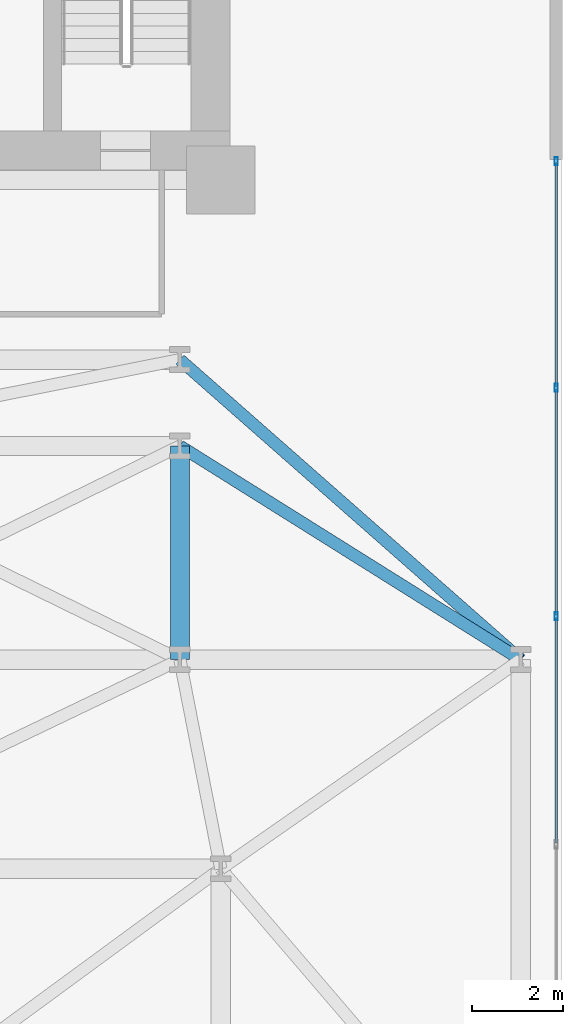
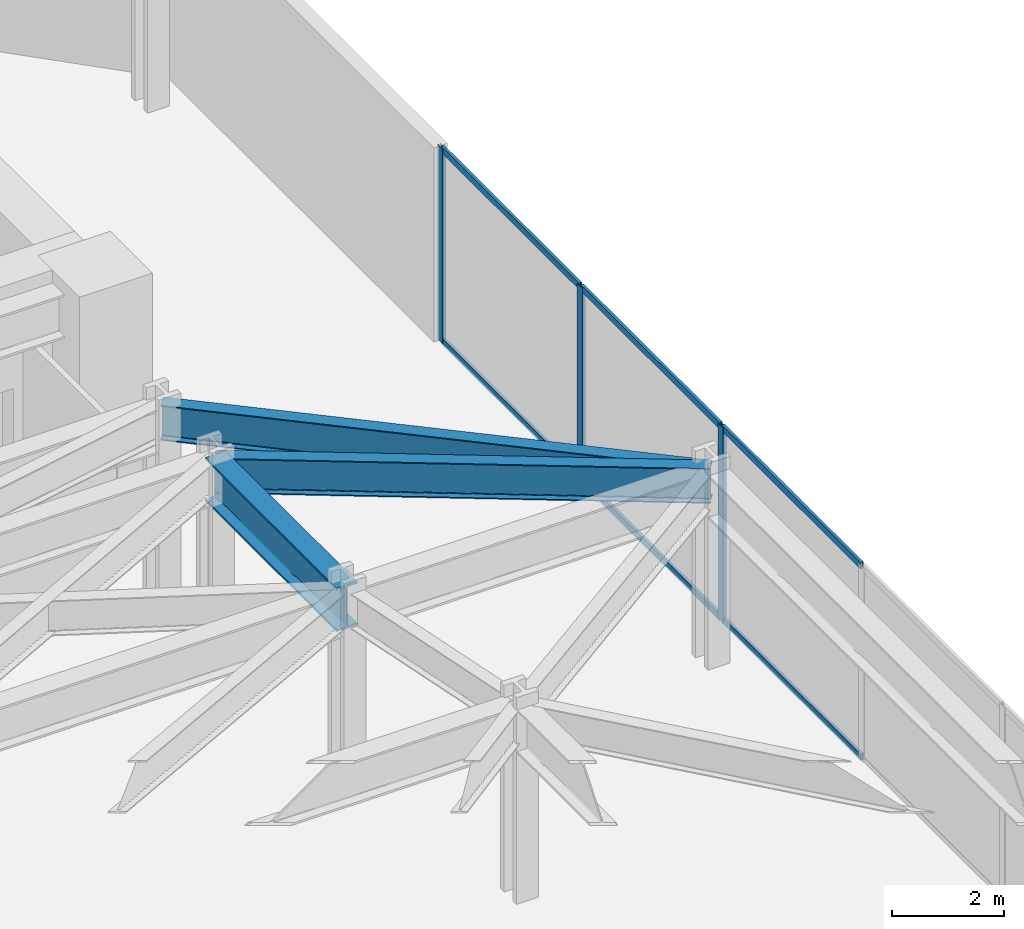
# One storey, part 23 of 28: 9 members, 3 beams, 1 element without a shape of its own.
"""IFC4 building model written with IfcOpenShell, lengths in metres."""

from ifc_helpers import new_model, si_unit, direction, frame, origin, origin_2d, place, context, subcontext, project, spatial, hollow_rectangle, i_section, extrude, material, layer, layer_set, material_profile, profile_set, type_object, element, aggregate, save


model = new_model("IFC4")

# Units and contexts
model_context = context("Model", 3, precision=1e-05, world=origin(), true_north=direction((0.0, 1.0)))
body_context = subcontext(model_context, "Body", "Model", "MODEL_VIEW")
ifc_project = project(units=[si_unit("LENGTHUNIT", "METRE"), si_unit("AREAUNIT", "SQUARE_METRE"), si_unit("VOLUMEUNIT", "CUBIC_METRE"), si_unit("PLANEANGLEUNIT", "RADIAN"), si_unit("MASSUNIT", "GRAM", prefix="KILO")], contexts=[model_context])

# Site, building, storey
site_placement = place(None, origin())
site = spatial("IfcSite", under=ifc_project, at=site_placement, CompositionType="ELEMENT")
building_placement = place(site_placement, origin())
building = spatial("IfcBuilding", under=site, at=building_placement, Name="Kravanh Interchange Tower", CompositionType="ELEMENT")
storey_placement = place(building_placement, frame((0.0, 0.0, 15.300048828125)))
storey = spatial("IfcBuildingStorey", under=building, at=storey_placement, Name="L03", CompositionType="ELEMENT", Elevation=15.300048828125)

# Curtain wall, members
ifc_material_1 = material(Name="Anodised Bronze Aluminium", Category="aluminium")
ifc_layer = layer(ifc_material_1, 0.179931640625)
ifc_layer_set = layer_set([ifc_layer], Name="Unitised Curtain Wall System CW-POD Podium Concourse")
curtain_wall_type = type_object("IfcCurtainWallType", Name="Unitised Curtain Wall System CW-POD Podium Concourse", PredefinedType="NOTDEFINED", material=ifc_layer_set)
curtain_wall_placement = place(storey_placement, origin())
curtain_wall = element("IfcCurtainWall", 1, at=curtain_wall_placement, inside=storey, type_object=curtain_wall_type, Name="L03 Unitised Curtain Wall CW-L03-02", PredefinedType="NOTDEFINED")
ifc_material_2 = material(Name="Anodised Bronze Aluminium", Category="aluminium")
ifc_material_profile_1 = material_profile(ifc_material_2, hollow_rectangle(XDim=0.070068359375, YDim=0.179931640625, WallThickness=0.00390625, at=origin_2d()), Name="ALU70X180X4")
ifc_profile_set_1 = profile_set([ifc_material_profile_1], Name="Anodised Bronze Aluminium")
member_type_1 = type_object("IfcMemberType", Name="Curtain Wall Mullion ALU70X180X4 Bronze", PredefinedType="MULLION", material=ifc_profile_set_1)
member_1_placement = place(storey_placement, frame((73.8798828125, 37.764892578125, 0.0), z_axis=(0.0, 0.0, 1.0), x_axis=(1.0, 0.0, 0.0)))
member_1 = element("IfcMember", 2, at=member_1_placement, type_object=member_type_1, Name="CW-POD mullion 1", PredefinedType="MULLION", context=body_context, shape_type="SweptSolid", body=[
    extrude(hollow_rectangle(XDim=0.070068359375, YDim=0.179931640625, WallThickness=0.00390625, at=origin_2d()), origin(), (0.0, 0.0, 1.0), 4.22998046875),
])
member_2_placement = place(storey_placement, frame((73.8798828125, 32.778564453125, 0.0), z_axis=(0.0, 0.0, 1.0), x_axis=(1.0, 0.0, 0.0)))
member_2 = element("IfcMember", 3, at=member_2_placement, type_object=member_type_1, Name="CW-POD mullion 2", PredefinedType="MULLION", context=body_context, shape_type="SweptSolid", body=[
    extrude(hollow_rectangle(XDim=0.070068359375, YDim=0.179931640625, WallThickness=0.00390625, at=origin_2d()), origin(), (0.0, 0.0, 1.0), 4.22998046875),
])
member_3_placement = place(storey_placement, frame((73.8798828125, 27.757080078125, 0.0), z_axis=(0.0, 0.0, 1.0), x_axis=(1.0, 0.0, 0.0)))
member_3 = element("IfcMember", 4, at=member_3_placement, type_object=member_type_1, Name="CW-POD mullion 3", PredefinedType="MULLION", context=body_context, shape_type="SweptSolid", body=[
    extrude(hollow_rectangle(XDim=0.070068359375, YDim=0.179931640625, WallThickness=0.00390625, at=origin_2d()), origin(), (0.0, 0.0, 1.0), 4.22998046875),
])
ifc_material_3 = material(Name="Anodised Bronze Aluminium", Category="aluminium")
ifc_material_profile_2 = material_profile(ifc_material_3, hollow_rectangle(XDim=0.06005859375, YDim=0.139892578125, WallThickness=0.00390625, at=origin_2d()), Name="ALU60X140X4")
ifc_profile_set_2 = profile_set([ifc_material_profile_2], Name="Anodised Bronze Aluminium")
member_type_2 = type_object("IfcMemberType", Name="Curtain Wall Transom ALU60X140X4 Bronze", PredefinedType="USERDEFINED", material=ifc_profile_set_2)
member_4_placement = place(storey_placement, frame((73.8798828125, 37.72998046875, 0.030029296875), z_axis=(0.0, -1.0, 0.0), x_axis=(1.0, 0.0, 0.0)))
member_4 = element("IfcMember", 5, at=member_4_placement, type_object=member_type_2, Name="CW-POD transom 1.1", ObjectType="TRANSOM", PredefinedType="USERDEFINED", context=body_context, shape_type="SweptSolid", body=[
    extrude(hollow_rectangle(XDim=0.06005859375, YDim=0.139892578125, WallThickness=0.00390625, at=origin_2d()), origin(), (0.0, 0.0, 1.0), 4.91650390625),
])
member_5_placement = place(storey_placement, frame((73.8798828125, 37.72998046875, 4.199951171875), z_axis=(0.0, -1.0, 0.0), x_axis=(1.0, 0.0, 0.0)))
member_5 = element("IfcMember", 6, at=member_5_placement, type_object=member_type_2, Name="CW-POD transom 1.2", ObjectType="TRANSOM", PredefinedType="USERDEFINED", context=body_context, shape_type="SweptSolid", body=[
    extrude(hollow_rectangle(XDim=0.06005859375, YDim=0.139892578125, WallThickness=0.00390625, at=origin_2d()), origin(), (0.0, 0.0, 1.0), 4.91650390625),
])
member_6_placement = place(storey_placement, frame((73.8798828125, 32.743408203125, 0.030029296875), z_axis=(0.0, -1.0, 0.0), x_axis=(1.0, 0.0, 0.0)))
member_6 = element("IfcMember", 7, at=member_6_placement, type_object=member_type_2, Name="CW-POD transom 2.1", ObjectType="TRANSOM", PredefinedType="USERDEFINED", context=body_context, shape_type="SweptSolid", body=[
    extrude(hollow_rectangle(XDim=0.06005859375, YDim=0.139892578125, WallThickness=0.00390625, at=origin_2d()), origin(), (0.0, 0.0, 1.0), 4.951416015625),
])
member_7_placement = place(storey_placement, frame((73.8798828125, 32.743408203125, 4.199951171875), z_axis=(0.0, -1.0, 0.0), x_axis=(1.0, 0.0, 0.0)))
member_7 = element("IfcMember", 8, at=member_7_placement, type_object=member_type_2, Name="CW-POD transom 2.2", ObjectType="TRANSOM", PredefinedType="USERDEFINED", context=body_context, shape_type="SweptSolid", body=[
    extrude(hollow_rectangle(XDim=0.06005859375, YDim=0.139892578125, WallThickness=0.00390625, at=origin_2d()), origin(), (0.0, 0.0, 1.0), 4.951416015625),
])
member_8_placement = place(storey_placement, frame((73.8798828125, 27.72216796875, 0.030029296875), z_axis=(0.0, -1.0, 0.0), x_axis=(1.0, 0.0, 0.0)))
member_8 = element("IfcMember", 9, at=member_8_placement, type_object=member_type_2, Name="CW-POD transom 3.1", ObjectType="TRANSOM", PredefinedType="USERDEFINED", context=body_context, shape_type="SweptSolid", body=[
    extrude(hollow_rectangle(XDim=0.06005859375, YDim=0.139892578125, WallThickness=0.00390625, at=origin_2d()), origin(), (0.0, 0.0, 1.0), 4.95166015625),
])
member_9_placement = place(storey_placement, frame((73.8798828125, 27.72216796875, 4.199951171875), z_axis=(0.0, -1.0, 0.0), x_axis=(1.0, 0.0, 0.0)))
member_9 = element("IfcMember", 10, at=member_9_placement, type_object=member_type_2, Name="CW-POD transom 3.2", ObjectType="TRANSOM", PredefinedType="USERDEFINED", context=body_context, shape_type="SweptSolid", body=[
    extrude(hollow_rectangle(XDim=0.06005859375, YDim=0.139892578125, WallThickness=0.00390625, at=origin_2d()), origin(), (0.0, 0.0, 1.0), 4.95166015625),
])
aggregate(curtain_wall, [member_1, member_2, member_3, member_4, member_5, member_6, member_7, member_8, member_9])

# Beams
ifc_material_4 = material(Name="Structural Steel S450", Category="steel")
ifc_material_profile_3 = material_profile(ifc_material_4, i_section(OverallWidth=0.423095703125, OverallDepth=0.947998046875, WebThickness=0.02392578125, FlangeThickness=0.042724609375, FilletRadius=0.028076171875, at=origin_2d()), Name="W36X302")
ifc_profile_set_3 = profile_set([ifc_material_profile_3], Name="Structural Steel S450")
beam_type_1 = type_object("IfcBeamType", Name="Floor Beam W36X302 Structural Steel S450", PredefinedType="BEAM", material=ifc_profile_set_3)
beam_1_placement = place(storey_placement, frame((65.60009765625, 26.800048828125, 3.755859375), z_axis=(0.0, 1.0, 0.0), x_axis=(-1.0, 0.0, 0.0)))
element("IfcBeam", 11, at=beam_1_placement, inside=storey, type_object=beam_type_1, Name="L03 Primary Floor Girder 101", PredefinedType="BEAM", context=body_context, shape_type="SweptSolid", body=[
    extrude(i_section(OverallWidth=0.423095703125, OverallDepth=0.947998046875, WebThickness=0.02392578125, FlangeThickness=0.042724609375, FilletRadius=0.028076171875, at=origin_2d()), origin(), (0.0, 0.0, 1.0), 4.699951171875),
])
ifc_material_5 = material(Name="Structural Steel S355", Category="steel")
ifc_material_profile_4 = material_profile(ifc_material_5, i_section(OverallWidth=0.26708984375, OverallDepth=0.761962890625, WebThickness=0.014404296875, FlangeThickness=0.021484375, FilletRadius=0.02490234375, at=origin_2d()), Name="W30X116")
ifc_profile_set_4 = profile_set([ifc_material_profile_4], Name="Structural Steel S355")
beam_type_2 = type_object("IfcBeamType", Name="Floor Spandrel W30X116 Structural Steel S355", PredefinedType="SPANDREL", material=ifc_profile_set_4)
beam_2_placement = place(storey_placement, frame((65.60009765625, 31.5, 3.848876953125), z_axis=(0.847365449363, -0.531010164899, 0.0), x_axis=(0.531010164899, 0.847365449363, 0.0)))
element("IfcBeam", 12, at=beam_2_placement, inside=storey, type_object=beam_type_2, Name="L03 Perimeter Spandrel 121", PredefinedType="SPANDREL", context=body_context, shape_type="SweptSolid", body=[
    extrude(i_section(OverallWidth=0.26708984375, OverallDepth=0.761962890625, WebThickness=0.014404296875, FlangeThickness=0.021484375, FilletRadius=0.02490234375, at=origin_2d()), origin(), (0.0, 0.0, 1.0), 8.85107421875),
])
beam_3_placement = place(storey_placement, frame((73.10009765625, 26.800048828125, 3.848876953125), z_axis=(-0.750720788639, 0.660619631487, 0.0), x_axis=(-0.660619631487, -0.750720788639, 0.0)))
element("IfcBeam", 13, at=beam_3_placement, inside=storey, type_object=beam_type_2, Name="L03 Perimeter Spandrel 129", PredefinedType="SPANDREL", context=body_context, shape_type="SweptSolid", body=[
    extrude(i_section(OverallWidth=0.26708984375, OverallDepth=0.761962890625, WebThickness=0.014404296875, FlangeThickness=0.021484375, FilletRadius=0.02490234375, at=origin_2d()), origin(), (0.0, 0.0, 1.0), 9.990478515625),
])

save(model, "model.ifc")
